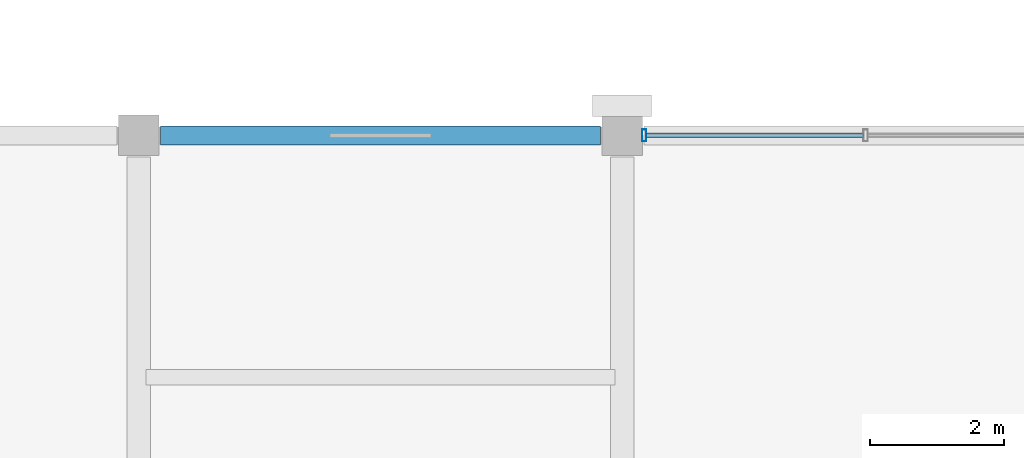
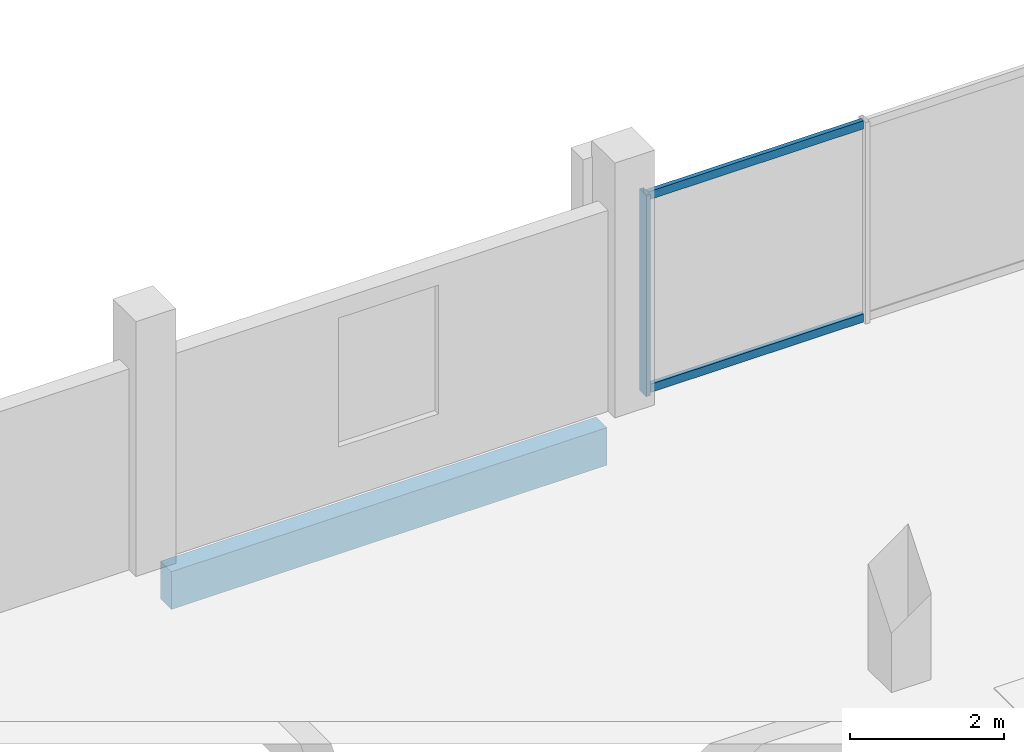
# One storey, part 22 of 108: 3 members, 1 beam, 1 element without a shape of its own.
"""IFC4 building model written with IfcOpenShell, lengths in metres."""

from ifc_helpers import new_model, si_unit, direction, frame, origin, origin_2d, place, context, subcontext, project, spatial, rectangle, hollow_rectangle, extrude, material, layer, layer_set, material_profile, profile_set, type_object, element, aggregate, save


model = new_model("IFC4")

# Units and contexts
model_context = context("Model", 3, precision=1e-05, world=origin(), true_north=direction((0.0, 1.0)))
body_context = subcontext(model_context, "Body", "Model", "MODEL_VIEW")
ifc_project = project(units=[si_unit("LENGTHUNIT", "METRE"), si_unit("AREAUNIT", "SQUARE_METRE"), si_unit("VOLUMEUNIT", "CUBIC_METRE"), si_unit("PLANEANGLEUNIT", "RADIAN"), si_unit("MASSUNIT", "GRAM", prefix="KILO")], contexts=[model_context])

# Site, building, storey
site_placement = place(None, origin())
site = spatial("IfcSite", under=ifc_project, at=site_placement, CompositionType="ELEMENT")
building_placement = place(site_placement, origin())
building = spatial("IfcBuilding", under=site, at=building_placement, Name="Kangsadwip Square Police Headquarters", CompositionType="ELEMENT")
storey_placement = place(building_placement, frame((0.0, 0.0, 9.449951171875)))
storey = spatial("IfcBuildingStorey", under=building, at=storey_placement, Name="L02", CompositionType="ELEMENT", Elevation=9.449951171875)

# Curtain wall, members
ifc_material_1 = material(Name="Thermally broken anodised aluminium AW-6063-T6", Category="aluminium")
ifc_layer = layer(ifc_material_1, 0.159912109375)
ifc_layer_set = layer_set([ifc_layer], Name="Thermally broken anodised aluminium AW-6063-T6")
curtain_wall_type = type_object("IfcCurtainWallType", Name="UnitisedCw6660x3200", PredefinedType="NOTDEFINED", material=ifc_layer_set)
curtain_wall_placement = place(storey_placement, origin())
curtain_wall = element("IfcCurtainWall", 1, at=curtain_wall_placement, inside=storey, type_object=curtain_wall_type, Name="Curtain Wall CW-L02-0291-1152", PredefinedType="NOTDEFINED")
ifc_material_2 = material(Name="Thermally broken anodised aluminium AW-6063-T6", Category="aluminium")
ifc_material_profile_1 = material_profile(ifc_material_2, hollow_rectangle(XDim=0.06494140625, YDim=0.179931640625, WallThickness=0.00390625, at=origin_2d()), Name="CWM 180X65X4")
ifc_profile_set_1 = profile_set([ifc_material_profile_1], Name="Thermally broken anodised aluminium AW-6063-T6")
member_type_1 = type_object("IfcMemberType", Name="CwMullion160x65", PredefinedType="MULLION", material=ifc_profile_set_1)
member_1_placement = place(storey_placement, frame((29.12744140625, 115.199951171875, 0.0), z_axis=(0.0, 0.0, 1.0), x_axis=(1.0, 0.0, 0.0)))
member_1 = element("IfcMember", 2, at=member_1_placement, type_object=member_type_1, Name="CW-22 mullion 1", PredefinedType="MULLION", context=body_context, shape_type="SweptSolid", body=[
    extrude(hollow_rectangle(XDim=0.06494140625, YDim=0.179931640625, WallThickness=0.00390625, at=origin_2d()), origin(), (0.0, 0.0, 1.0), 3.199951171875),
])
ifc_material_3 = material(Name="Thermally broken anodised aluminium AW-6063-T6", Category="aluminium")
ifc_material_profile_2 = material_profile(ifc_material_3, hollow_rectangle(XDim=0.06494140625, YDim=0.1298828125, WallThickness=0.00390625, at=origin_2d()), Name="CWT 130X65X4")
ifc_profile_set_2 = profile_set([ifc_material_profile_2], Name="Thermally broken anodised aluminium AW-6063-T6")
member_type_2 = type_object("IfcMemberType", Name="CwTransom140x60", PredefinedType="USERDEFINED", material=ifc_profile_set_2)
member_2_placement = place(storey_placement, frame((29.159912109375, 115.199951171875, 0.06494140625), z_axis=(1.0, 0.0, 0.0), x_axis=(0.0, 1.0, 0.0)))
member_2 = element("IfcMember", 3, at=member_2_placement, type_object=member_type_2, Name="CW-22 transom 1.1", ObjectType="TRANSOM", PredefinedType="USERDEFINED", context=body_context, shape_type="SweptSolid", body=[
    extrude(hollow_rectangle(XDim=0.06494140625, YDim=0.1298828125, WallThickness=0.00390625, at=origin_2d()), origin(), (0.0, 0.0, 1.0), 3.232666015625),
])
member_3_placement = place(storey_placement, frame((29.159912109375, 115.199951171875, 3.135009765625), z_axis=(1.0, 0.0, 0.0), x_axis=(0.0, 1.0, 0.0)))
member_3 = element("IfcMember", 4, at=member_3_placement, type_object=member_type_2, Name="CW-22 transom 1.2", ObjectType="TRANSOM", PredefinedType="USERDEFINED", context=body_context, shape_type="SweptSolid", body=[
    extrude(hollow_rectangle(XDim=0.06494140625, YDim=0.1298828125, WallThickness=0.00390625, at=origin_2d()), origin(), (0.0, 0.0, 1.0), 3.232666015625),
])
aggregate(curtain_wall, [member_1, member_2, member_3])

# Beam
ifc_material_4 = material(Name="Concrete M40 (40 MPa)", Category="concrete")
ifc_material_profile_3 = material_profile(ifc_material_4, rectangle(XDim=0.280029296875, YDim=0.60009765625, at=origin_2d()), Name="RC SPN 600X280")
ifc_profile_set_3 = profile_set([ifc_material_profile_3], Name="Concrete M40 (40 MPa)")
beam_type = type_object("IfcBeamType", Name="RcSpandrel600x280", PredefinedType="SPANDREL", material=ifc_profile_set_3)
beam_placement = place(storey_placement, frame((21.925048828125, 115.199951171875, -0.5400390625), z_axis=(1.0, 0.0, 0.0), x_axis=(0.0, 1.0, 0.0)))
element("IfcBeam", 5, at=beam_placement, inside=storey, type_object=beam_type, Name="Beam BM-L02-X-03-16", PredefinedType="SPANDREL", context=body_context, shape_type="SweptSolid", body=[
    extrude(rectangle(XDim=0.280029296875, YDim=0.60009765625, at=origin_2d()), origin(), (0.0, 0.0, 1.0), 6.550048828125),
])

save(model, "model.ifc")
